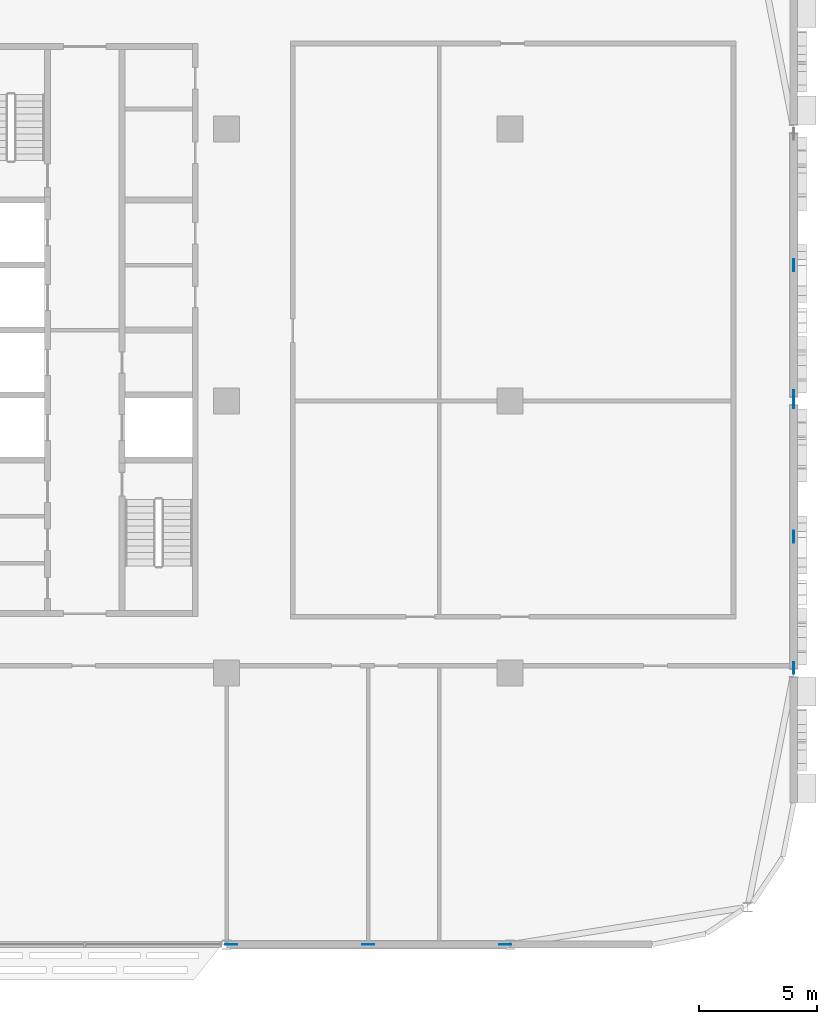
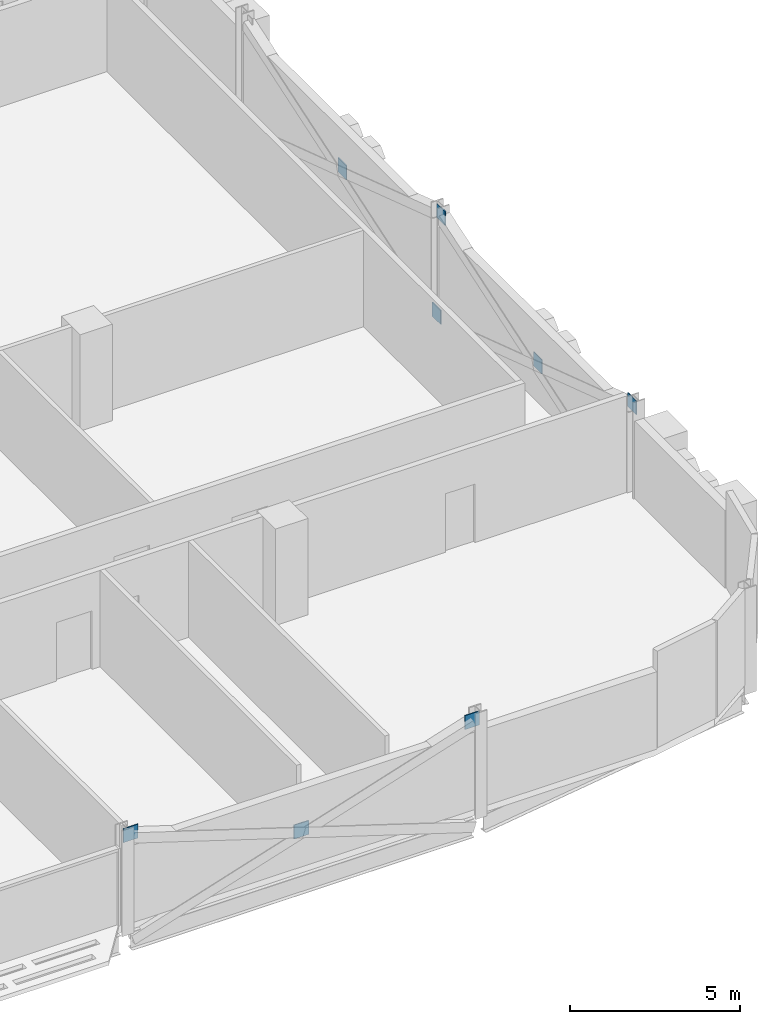
# One storey, part 23 of 30: 8 discrete accessories.
"""IFC4 building model written with IfcOpenShell, lengths in metres."""

from ifc_helpers import new_model, si_unit, direction, frame, origin, origin_2d, place, context, subcontext, project, spatial, rectangle, extrude, material, layer, layer_set, type_object, element, save


model = new_model("IFC4")

# Units and contexts
model_context = context("Model", 3, precision=1e-05, world=origin(), true_north=direction((0.0, 1.0)))
body_context = subcontext(model_context, "Body", "Model", "MODEL_VIEW")
ifc_project = project(units=[si_unit("LENGTHUNIT", "METRE"), si_unit("AREAUNIT", "SQUARE_METRE"), si_unit("VOLUMEUNIT", "CUBIC_METRE"), si_unit("PLANEANGLEUNIT", "RADIAN"), si_unit("MASSUNIT", "GRAM", prefix="KILO")], contexts=[model_context])

# Site, building, storey
site_placement = place(None, origin())
site = spatial("IfcSite", under=ifc_project, at=site_placement, CompositionType="ELEMENT")
building_placement = place(site_placement, origin())
building = spatial("IfcBuilding", under=site, at=building_placement, Name="Mahtab Terrace Research Tower", CompositionType="ELEMENT")
storey_placement = place(building_placement, frame((0.0, 0.0, 216.699951171875)))
storey = spatial("IfcBuildingStorey", under=building, at=storey_placement, Name="L52", CompositionType="ELEMENT", Elevation=216.699951171875)

# Discrete accessories
ifc_material = material(Name="Steel ASTM A992 Gr 50", Category="steel")
ifc_layer = layer(ifc_material, 0.030029296875)
ifc_layer_set = layer_set([ifc_layer], Name="Gusset plate 500x500x30")
discrete_accessory_type = type_object("IfcDiscreteAccessoryType", Name="Gusset plate 500x500x30", PredefinedType="USERDEFINED", material=ifc_layer_set)
for number, where, z_axis, x_axis, name in (
    (1, (30.20068359375, -23.0, 2.870361328125), (0.0, 0.0, 1.0), (1.0, 0.0, 0.0), "Gusset plate"),
    (2, (36.0, -23.0, 0.970947265625), (0.0, 0.0, 1.0), (1.0, 0.0, 0.0), "Gusset plate"),
    (3, (41.79931640625, -23.0, 2.870361328125), (0.0, 0.0, 1.0), (1.0, 0.0, 0.0), "Gusset plate"),
    (4, (54.0, -11.300537109375, 2.870361328125), (0.0, 0.0, 1.0), (0.0, 1.0, 0.0), "Gusset plate"),
    (5, (54.0, -5.75, 0.970947265625), (0.0, 0.0, 1.0), (0.0, 1.0, 0.0), "Gusset plate"),
    (6, (54.0, -0.06640625, 2.8486328125), (0.0, 0.0, 1.0), (0.0, 1.0, 0.0), "Gusset plate"),
    (7, (54.0, 0.199462890625, -0.863037109375), (0.0, 0.0, 1.0), (0.0, 1.0, 0.0), "Gusset plate"),
    (8, (54.0, 5.75, 0.970947265625), (0.0, 0.0, 1.0), (0.0, 1.0, 0.0), "Gusset plate"),
):
    element("IfcDiscreteAccessory", number, at=place(storey_placement, frame(where, z_axis=z_axis, x_axis=x_axis)), inside=storey, type_object=discrete_accessory_type, Name=name, ObjectType="GUSSET PLATE", PredefinedType="USERDEFINED", context=body_context, shape_type="SweptSolid", body=[
        extrude(rectangle(XDim=0.5, YDim=0.030029296875, at=origin_2d()), origin(), (0.0, 0.0, 1.0), 0.5),
    ])

save(model, "model.ifc")
